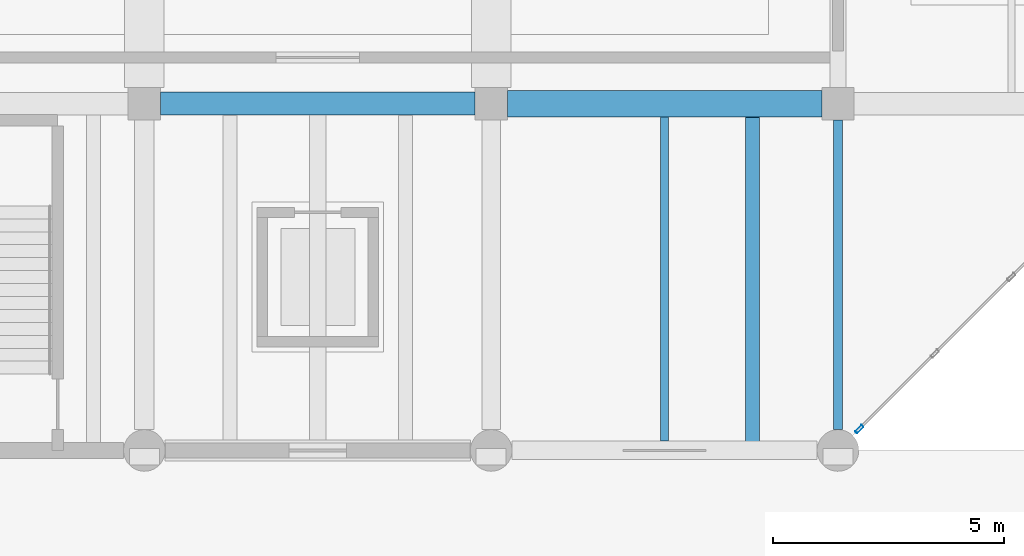
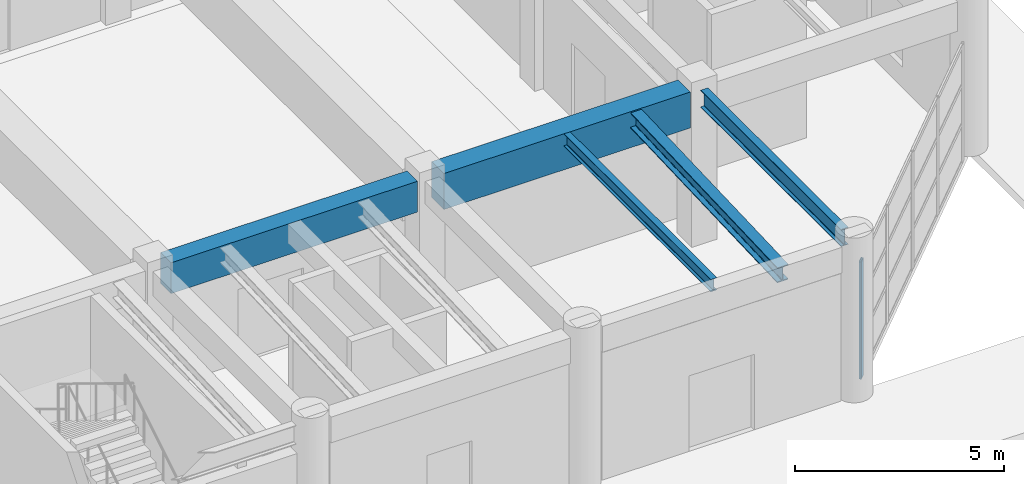
# One storey, part 54 of 122: 5 beams, 1 member, 1 element without a shape of its own.
"""IFC4 building model written with IfcOpenShell, lengths in metres."""

from ifc_helpers import new_model, si_unit, direction, frame, origin, origin_2d, place, context, subcontext, project, spatial, rectangle, hollow_rectangle, i_section, extrude, material, material_profile, profile_set, type_object, element, aggregate, save


model = new_model("IFC4")

# Units and contexts
model_context = context("Model", 3, precision=1e-05, world=origin(), true_north=direction((0.0, 1.0)))
body_context = subcontext(model_context, "Body", "Model", "MODEL_VIEW")
ifc_project = project(units=[si_unit("LENGTHUNIT", "METRE"), si_unit("AREAUNIT", "SQUARE_METRE"), si_unit("VOLUMEUNIT", "CUBIC_METRE"), si_unit("PLANEANGLEUNIT", "RADIAN"), si_unit("MASSUNIT", "GRAM", prefix="KILO")], contexts=[model_context])

# Site, building, storey
site_placement = place(None, origin())
site = spatial("IfcSite", under=ifc_project, at=site_placement, CompositionType="ELEMENT")
building_placement = place(site_placement, origin())
building = spatial("IfcBuilding", under=site, at=building_placement, Name="Qasida Concert Hall", CompositionType="ELEMENT")
storey_placement = place(building_placement, origin())
storey = spatial("IfcBuildingStorey", under=building, at=storey_placement, Name="L00", CompositionType="ELEMENT", Elevation=0.0)

# Beams
ifc_material_1 = material(Name="Steel S355J2", Category="steel")
ifc_material_profile_1 = material_profile(ifc_material_1, i_section(OverallWidth=0.199951171875, OverallDepth=0.5, WebThickness=0.01025390625, FlangeThickness=0.01611328125, FilletRadius=0.02099609375, at=origin_2d()), Name="IPE 500")
ifc_profile_set_1 = profile_set([ifc_material_profile_1], Name="Steel S355J2")
beam_type_1 = type_object("IfcBeamType", Name="BM-B4", PredefinedType="BEAM", material=ifc_profile_set_1)
beam_1_placement = place(storey_placement, frame((157.5, 0.449951171875, 4.25), z_axis=(0.0, 1.0, 0.0), x_axis=(-1.0, 0.0, 0.0)))
element("IfcBeam", 1, at=beam_1_placement, inside=storey, type_object=beam_type_1, Name="L00 girder 0494", PredefinedType="BEAM", context=body_context, shape_type="SweptSolid", body=[
    extrude(i_section(OverallWidth=0.199951171875, OverallDepth=0.5, WebThickness=0.01025390625, FlangeThickness=0.01611328125, FilletRadius=0.02099609375, at=origin_2d()), origin(), (0.0, 0.0, 1.0), 6.699951171875),
])
ifc_material_2 = material(Name="Concrete C40/50", Category="concrete")
ifc_material_profile_2 = material_profile(ifc_material_2, rectangle(XDim=0.5, YDim=0.89990234375, at=origin_2d()), Name="RC 500x900")
ifc_profile_set_2 = profile_set([ifc_material_profile_2], Name="Concrete C40/50")
beam_type_2 = type_object("IfcBeamType", Name="BM-G1", PredefinedType="USERDEFINED", material=ifc_profile_set_2)
beam_2_placement = place(storey_placement, frame((142.85009765625, 7.5, 4.050048828125), z_axis=(1.0, 0.0, 0.0), x_axis=(0.0, 1.0, 0.0)))
element("IfcBeam", 2, at=beam_2_placement, inside=storey, type_object=beam_type_2, Name="Primary girder 0469", ObjectType="GIRDER", PredefinedType="USERDEFINED", context=body_context, shape_type="SweptSolid", body=[
    extrude(rectangle(XDim=0.5, YDim=0.89990234375, at=origin_2d()), origin(), (0.0, 0.0, 1.0), 6.7998046875),
])
ifc_material_3 = material(Name="Concrete C50/60", Category="concrete")
ifc_material_profile_3 = material_profile(ifc_material_3, rectangle(XDim=0.580078125, YDim=1.050048828125, at=origin_2d()), Name="RC 580x1050")
ifc_profile_set_3 = profile_set([ifc_material_profile_3], Name="Concrete C50/60")
beam_type_3 = type_object("IfcBeamType", Name="BM-G8", PredefinedType="USERDEFINED", material=ifc_profile_set_3)
beam_3_placement = place(storey_placement, frame((150.35009765625, 7.5, 3.97509765625), z_axis=(1.0, 0.0, 0.0), x_axis=(0.0, 1.0, 0.0)))
element("IfcBeam", 3, at=beam_3_placement, inside=storey, type_object=beam_type_3, Name="Primary girder 0470", ObjectType="GIRDER", PredefinedType="USERDEFINED", context=body_context, shape_type="SweptSolid", body=[
    extrude(rectangle(XDim=0.580078125, YDim=1.050048828125, at=origin_2d()), origin(), (0.0, 0.0, 1.0), 6.7998046875),
])
ifc_material_profile_4 = material_profile(ifc_material_1, i_section(OverallWidth=0.169921875, OverallDepth=0.360107421875, WebThickness=0.008056640625, FlangeThickness=0.0126953125, FilletRadius=0.01806640625, at=origin_2d()), Name="IPE 360")
ifc_profile_set_4 = profile_set([ifc_material_profile_4], Name="Steel S355J2")
beam_type_4 = type_object("IfcBeamType", Name="BM-J2", PredefinedType="JOIST", material=ifc_profile_set_4)
beam_4_placement = place(storey_placement, frame((153.75, 0.199951171875, 4.320068359375), z_axis=(0.0, 1.0, 0.0), x_axis=(-1.0, 0.0, 0.0)))
element("IfcBeam", 4, at=beam_4_placement, inside=storey, type_object=beam_type_4, Name="L00 secondary joist 0505", PredefinedType="JOIST", context=body_context, shape_type="SweptSolid", body=[
    extrude(i_section(OverallWidth=0.169921875, OverallDepth=0.360107421875, WebThickness=0.008056640625, FlangeThickness=0.0126953125, FilletRadius=0.01806640625, at=origin_2d()), origin(), (0.0, 0.0, 1.0), 7.010009765625),
])
ifc_material_profile_5 = material_profile(ifc_material_1, i_section(OverallWidth=0.300048828125, OverallDepth=0.449951171875, WebThickness=0.013916015625, FlangeThickness=0.02587890625, FilletRadius=0.027099609375, at=origin_2d()), Name="HEB 450")
ifc_profile_set_5 = profile_set([ifc_material_profile_5], Name="Steel S355J2")
beam_type_5 = type_object("IfcBeamType", Name="BM-RK3", PredefinedType="USERDEFINED", material=ifc_profile_set_5)
beam_5_placement = place(storey_placement, frame((155.64990234375, 0.199951171875, 3.97998046875), z_axis=(0.0, 0.999258962536, 0.038490593549), x_axis=(-1.0, 0.0, 0.0)))
element("IfcBeam", 5, at=beam_5_placement, inside=storey, type_object=beam_type_5, Name="Raker beam RK-014", ObjectType="RAKER", PredefinedType="USERDEFINED", context=body_context, shape_type="SweptSolid", body=[
    extrude(i_section(OverallWidth=0.300048828125, OverallDepth=0.449951171875, WebThickness=0.013916015625, FlangeThickness=0.02587890625, FilletRadius=0.027099609375, at=origin_2d()), origin(), (0.0, 0.0, 1.0), 7.01513671875),
])

# Curtain wall, member
ifc_material_4 = material(Name="Architectural bronze-anodized aluminium and low-E glass", Category="aluminium")
curtain_wall_type = type_object("IfcCurtainWallType", Name="CW-07", PredefinedType="NOTDEFINED", material=ifc_material_4)
curtain_wall_placement = place(storey_placement, origin())
curtain_wall = element("IfcCurtainWall", 6, at=curtain_wall_placement, inside=storey, type_object=curtain_wall_type, Name="L00 curtain wall CW-07 0139", PredefinedType="NOTDEFINED")
ifc_material_5 = material(Name="Architectural bronze-anodized aluminium EN AW-6063", Category="aluminium")
ifc_material_profile_6 = material_profile(ifc_material_5, hollow_rectangle(XDim=0.06494140625, YDim=0.199951171875, WallThickness=0.0048828125, InnerFilletRadius=0.0048828125, OuterFilletRadius=0.010009765625, at=origin_2d()), Name="CWM 200x65x5")
ifc_profile_set_6 = profile_set([ifc_material_profile_6], Name="Architectural bronze-anodized aluminium EN AW-6063")
member_type = type_object("IfcMemberType", Name="MB-CWM-2", PredefinedType="MULLION", material=ifc_profile_set_6)
member_placement = place(storey_placement, frame((157.96142578125, 0.46142578125, 0.0), z_axis=(0.0, 0.0, 1.0), x_axis=(-0.707106781187, 0.707106781187, 0.0)))
member = element("IfcMember", 7, at=member_placement, type_object=member_type, Name="CW-07 mullion 1", PredefinedType="MULLION", context=body_context, shape_type="SweptSolid", body=[
    extrude(hollow_rectangle(XDim=0.06494140625, YDim=0.199951171875, WallThickness=0.0048828125, InnerFilletRadius=0.0048828125, OuterFilletRadius=0.010009765625, at=origin_2d()), origin(), (0.0, 0.0, 1.0), 3.419921875),
])
aggregate(curtain_wall, [member])

save(model, "model.ifc")
